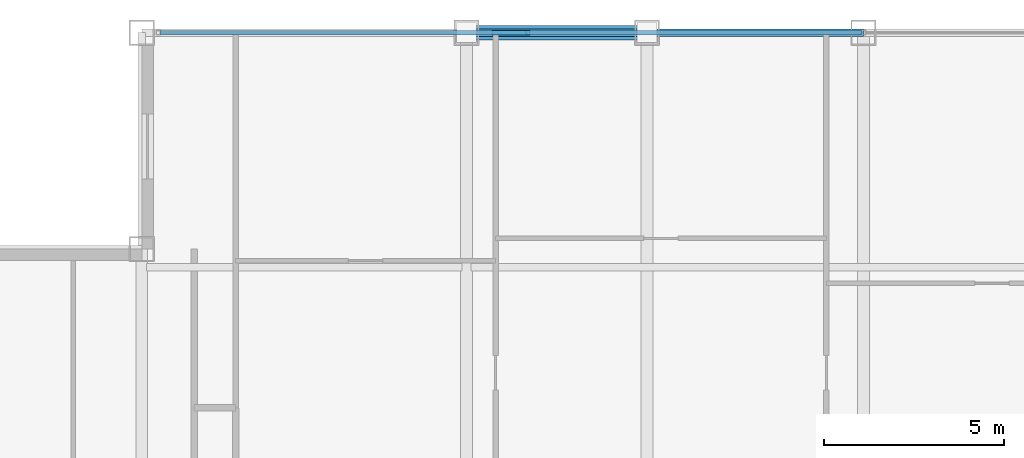
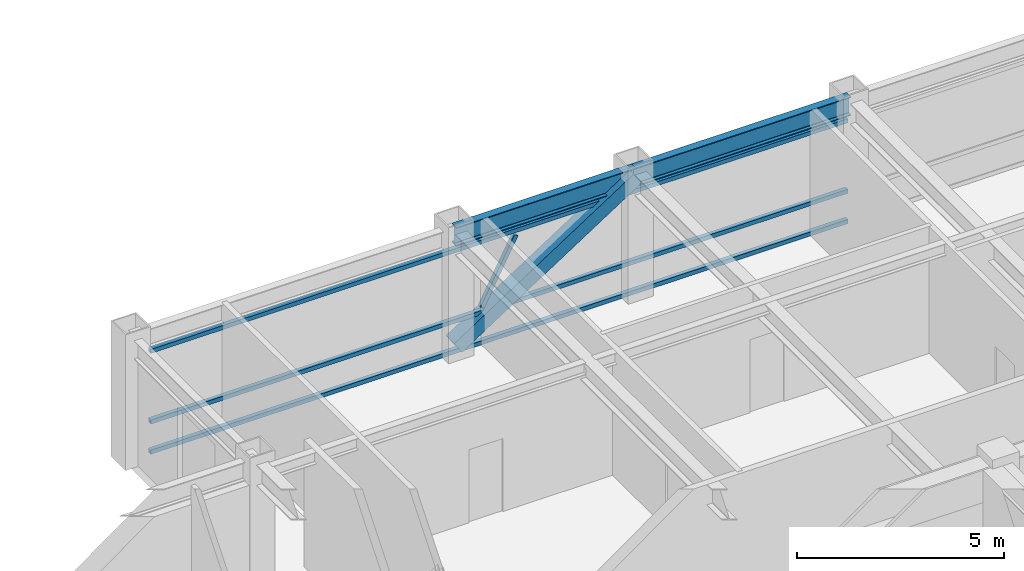
# One storey, part 17 of 29: 5 members, 2 beams, 1 element without a shape of its own.
"""IFC4 building model written with IfcOpenShell, lengths in metres."""

import ifcopenshell
import ifcopenshell.guid

model = None  # the IFC model being written
_history = None  # IfcOwnerHistory: only IFC2X3 demands one
_inside = {}  # id of a spatial element -> (the spatial element, [elements in it])
_under = {}  # id of a project, library or spatial element -> (it, [spatial elements below it])
_declared = {}  # id of a project -> (the project, [libraries it declares])
_typed = {}  # id of a type object -> (the type object, [elements of that type])
_made_of = {}  # id of a material, layer set ... -> (it, [elements and type objects made of it])


def new_model(schema):
    """Start an empty IFC model of exactly this schema.

    Asked for "IFC4X3", IfcOpenShell would pick the latest addendum, in which some entities
    have other attributes; the version numbers below select the first issue.
    IFC2X3 requires an IfcOwnerHistory on every rooted entity: one is made here for all.
    """
    global model, _history
    if schema == "IFC4X3":
        model = ifcopenshell.file(schema_version=(4, 3, 0, 0))
    else:
        model = ifcopenshell.file(schema=schema)
    _inside.clear()
    _under.clear()
    _declared.clear()
    _typed.clear()
    _made_of.clear()
    _history = None
    if model.schema == "IFC2X3":
        org = make("IfcOrganization", Name="unknown")
        user = make(
            "IfcPersonAndOrganization",
            ThePerson=make("IfcPerson", FamilyName="unknown"),
            TheOrganization=org,
        )
        app = make(
            "IfcApplication",
            ApplicationDeveloper=org,
            Version="unknown",
            ApplicationFullName="unknown",
            ApplicationIdentifier="unknown",
        )
        _history = make(
            "IfcOwnerHistory",
            OwningUser=user,
            OwningApplication=app,
            ChangeAction="ADDED",
            CreationDate=0,
        )
    return model


def make(cls, **values):
    """One entity of the class cls with the attributes given. An attribute that is None is left unset."""
    return model.create_entity(
        cls, **{name: value for name, value in values.items() if value is not None}
    )


def rooted(cls, **values):
    """An entity with a GlobalId (a new one), such as an element, a storey or a relation."""
    return make(cls, GlobalId=ifcopenshell.guid.new(), OwnerHistory=_history, **values)


def si_unit(unit_type, name, prefix=None):
    """IfcSIUnit, for example si_unit("LENGTHUNIT", "METRE", prefix="MILLI")."""
    return make("IfcSIUnit", UnitType=unit_type, Prefix=prefix, Name=name)


def assignment(units):
    """IfcUnitAssignment: the units of a project."""
    return None if units is None else make("IfcUnitAssignment", Units=units)


def point(xyz):
    """IfcCartesianPoint."""
    return None if xyz is None else make("IfcCartesianPoint", Coordinates=xyz)


def direction(xyz):
    """IfcDirection."""
    return None if xyz is None else make("IfcDirection", DirectionRatios=xyz)


def frame(location, z_axis=None, x_axis=None):
    """IfcAxis2Placement3D, a coordinate frame: its origin and axes. An axis left out is left unset."""
    return make(
        "IfcAxis2Placement3D",
        Location=point(location),
        Axis=direction(z_axis),
        RefDirection=direction(x_axis),
    )


def frame_2d(location, x_axis=None):
    """IfcAxis2Placement2D, a coordinate frame in the plane: its origin and x axis."""
    return make(
        "IfcAxis2Placement2D", Location=point(location), RefDirection=direction(x_axis)
    )


def origin():
    """The frame at (0, 0, 0) with its axes left unset."""
    return frame((0.0, 0.0, 0.0))


def origin_2d():
    """The frame at (0, 0) in the plane with its x axis left unset."""
    return frame_2d((0.0, 0.0))


def place(relative_to, where):
    """IfcLocalPlacement: puts the frame where relative to a parent placement (None: the world)."""
    return make(
        "IfcLocalPlacement", PlacementRelTo=relative_to, RelativePlacement=where
    )


def context(
    kind, dimensions, precision=None, world=None, true_north=None, identifier=None
):
    """IfcGeometricRepresentationContext, for example the 3D "Model" context."""
    return make(
        "IfcGeometricRepresentationContext",
        ContextIdentifier=identifier,
        ContextType=kind,
        CoordinateSpaceDimension=dimensions,
        Precision=precision,
        WorldCoordinateSystem=world,
        TrueNorth=true_north,
    )


def subcontext(parent, identifier, kind, view, scale=None):
    """IfcGeometricRepresentationSubContext, for example "Body" below "Model"."""
    return make(
        "IfcGeometricRepresentationSubContext",
        ContextIdentifier=identifier,
        ContextType=kind,
        ParentContext=parent,
        TargetScale=scale,
        TargetView=view,
    )


def project(units=None, contexts=None):
    """IfcProject with its units and contexts."""
    return rooted(
        "IfcProject",
        Name="project",
        RepresentationContexts=contexts,
        UnitsInContext=assignment(units),
    )


def spatial(cls, under=None, at=None, **own):
    """A site, building, storey or space (cls), placed at a placement, below another one or the project."""
    s = rooted(cls, ObjectPlacement=at, **own)
    if under is not None:
        _under.setdefault(under.id(), (under, []))[1].append(s)
    return s


def profile(cls, at=None, kind="AREA", **sizes):
    """A parametric profile (cls). Its sizes go by their IFC names, for example OverallWidth=200.0."""
    return make(cls, ProfileType=kind, Position=at, **sizes)


def hollow_rectangle(**sizes):
    """IfcRectangleHollowProfileDef."""
    return profile("IfcRectangleHollowProfileDef", **sizes)


def i_section(**sizes):
    """IfcIShapeProfileDef."""
    return profile("IfcIShapeProfileDef", **sizes)


def extrude(swept, where, along, depth):
    """IfcExtrudedAreaSolid: the profile swept, set in the frame where, extruded along a direction by depth."""
    return make(
        "IfcExtrudedAreaSolid",
        SweptArea=swept,
        Position=where,
        ExtrudedDirection=direction(along),
        Depth=depth,
    )


def shape(context_of_items, identifier, shape_type, items):
    """IfcShapeRepresentation: the items that make up one representation, for example the "Body"."""
    return make(
        "IfcShapeRepresentation",
        ContextOfItems=context_of_items,
        RepresentationIdentifier=identifier,
        RepresentationType=shape_type,
        Items=items,
    )


def source(mapping_origin, context_of_items, identifier, shape_type, items):
    """IfcRepresentationMap: a shape defined once, which mapped items show again and again."""
    return make(
        "IfcRepresentationMap",
        MappingOrigin=mapping_origin,
        MappedRepresentation=shape(context_of_items, identifier, shape_type, items),
    )


def transform(
    local_origin,
    x_axis=None,
    y_axis=None,
    z_axis=None,
    scale=None,
    scale2=None,
    scale3=None,
    uniform=True,
):
    """IfcCartesianTransformationOperator3D, or its non-uniform kind. x_axis, y_axis, z_axis: its Axis1, 2, 3."""
    if uniform:
        return make(
            "IfcCartesianTransformationOperator3D",
            Axis1=direction(x_axis),
            Axis2=direction(y_axis),
            LocalOrigin=point(local_origin),
            Scale=scale,
            Axis3=direction(z_axis),
        )
    return make(
        "IfcCartesianTransformationOperator3DnonUniform",
        Axis1=direction(x_axis),
        Axis2=direction(y_axis),
        LocalOrigin=point(local_origin),
        Scale=scale,
        Axis3=direction(z_axis),
        Scale2=scale2,
        Scale3=scale3,
    )


def mapped(mapping_source, mapping_target):
    """IfcMappedItem: shows the shape of a source again, moved by a transform."""
    return make(
        "IfcMappedItem", MappingSource=mapping_source, MappingTarget=mapping_target
    )


def material(Name=None, Category=None):
    """IfcMaterial."""
    return make("IfcMaterial", Name=Name, Category=Category)


def material_profile(
    of_material, cross_section, Name=None, Category=None, Priority=None
):
    """IfcMaterialProfile: a cross section and its material."""
    return make(
        "IfcMaterialProfile",
        Name=Name,
        Material=of_material,
        Profile=cross_section,
        Priority=Priority,
        Category=Category,
    )


def profile_set(profiles, Name=None, composite=None):
    """IfcMaterialProfileSet."""
    return make(
        "IfcMaterialProfileSet",
        Name=Name,
        MaterialProfiles=profiles,
        CompositeProfile=composite,
    )


def made_of(thing, what):
    """Note that an element or type object is made of a material, layer set ...; save() writes the relation."""
    if what is not None:
        _made_of.setdefault(what.id(), (what, []))[1].append(thing)
    return thing


def type_object(cls, material=None, **own):
    """A type object (cls), such as IfcWallType, which elements share."""
    return made_of(rooted(cls, **own), material)


def element(
    cls,
    number,
    at=None,
    inside=None,
    cuts=None,
    type_object=None,
    material=None,
    context=None,
    identifier="Body",
    shape_type=None,
    held_by="IfcProductDefinitionShape",
    body=None,
    shapes=None,
    **own,
):
    """One element of the class cls, such as IfcWall. Its Tag is "e" and its number.

    at: its placement. inside: the storey or other place that contains it. cuts: it is an
    opening in that element (IfcRelVoidsElement). A single representation is given by context,
    identifier, shape_type and body (its items); several are given by shapes. held_by: the class
    of the entity that holds the representations. save() writes the other relations.
    """
    e = rooted(cls, Tag="e%d" % number, ObjectPlacement=at, **own)
    if body is not None:
        shapes = [shape(context, identifier, shape_type, body)]
    if shapes is not None:
        e.Representation = make(held_by, Representations=shapes)
    if inside is not None:
        _inside.setdefault(inside.id(), (inside, []))[1].append(e)
    if cuts is not None:
        rooted(
            "IfcRelVoidsElement", RelatingBuildingElement=cuts, RelatedOpeningElement=e
        )
    if type_object is not None:
        _typed.setdefault(type_object.id(), (type_object, []))[1].append(e)
    return made_of(e, material)


def aggregate(whole, parts):
    """IfcRelAggregates: a whole, such as a stair, and the parts it consists of."""
    return rooted("IfcRelAggregates", RelatingObject=whole, RelatedObjects=parts)


def save(model, path):
    """Write the relations noted so far, then the file.

    IfcRelAggregates (storeys below a building ...), IfcRelContainedInSpatialStructure (elements
    in a storey), IfcRelDefinesByType, IfcRelAssociatesMaterial and IfcRelDeclares: one each for
    every whole, place, type object, material and project.
    """
    for whole, parts in _under.values():
        aggregate(whole, parts)
    for where, things in _inside.values():
        rooted(
            "IfcRelContainedInSpatialStructure",
            RelatedElements=things,
            RelatingStructure=where,
        )
    for kind, things in _typed.values():
        rooted("IfcRelDefinesByType", RelatedObjects=things, RelatingType=kind)
    for what, things in _made_of.values():
        rooted("IfcRelAssociatesMaterial", RelatedObjects=things, RelatingMaterial=what)
    for by, libraries in _declared.values():
        rooted("IfcRelDeclares", RelatingContext=by, RelatedDefinitions=libraries)
    model.write(path)


model = new_model("IFC4")

# Units and contexts
model_context = context("Model", 3, precision=1e-05, world=origin(), true_north=direction((0.0, 1.0)))
body_context = subcontext(model_context, "Body", "Model", "MODEL_VIEW")
ifc_project = project(units=[si_unit("LENGTHUNIT", "METRE"), si_unit("AREAUNIT", "SQUARE_METRE"), si_unit("VOLUMEUNIT", "CUBIC_METRE"), si_unit("PLANEANGLEUNIT", "RADIAN"), si_unit("MASSUNIT", "GRAM", prefix="KILO")], contexts=[model_context])

# Site, building, storey
site_placement = place(None, origin())
site = spatial("IfcSite", under=ifc_project, at=site_placement, CompositionType="ELEMENT")
building_placement = place(site_placement, origin())
building = spatial("IfcBuilding", under=site, at=building_placement, Name="Khorayat Bourse Tower", CompositionType="ELEMENT")
storey_placement = place(building_placement, frame((0.0, 0.0, 366.300048828125)))
storey = spatial("IfcBuildingStorey", under=building, at=storey_placement, Name="L87", CompositionType="ELEMENT", Elevation=366.300048828125)

# Beams
ifc_material_1 = material(Name="Steel ASTM A992 Grade 50", Category="steel")
ifc_material_profile_1 = material_profile(ifc_material_1, i_section(OverallWidth=0.214111328125, OverallDepth=0.549072265625, WebThickness=0.0146484375, FlangeThickness=0.023681640625, FilletRadius=0.013916015625, at=origin_2d()), Name="W530X138")
ifc_profile_set_1 = profile_set([ifc_material_profile_1], Name="Steel ASTM A992 Grade 50")
beam_type = type_object("IfcBeamType", Name="BM-SPAN-530", PredefinedType="SPANDREL", material=ifc_profile_set_1)
shared_shape_1 = source(origin(), body_context, "Body", "SweptSolid", [
    extrude(i_section(OverallWidth=0.214111328125, OverallDepth=0.549072265625, WebThickness=0.0146484375, FlangeThickness=0.023681640625, FilletRadius=0.013916015625, at=origin_2d()), origin(), (0.0, 0.0, 1.0), 5.0),
])
beam_1_placement = place(storey_placement, frame((-11.0, 26.0, 3.46533203125), z_axis=(1.0, 0.0, 0.0), x_axis=(0.0, 1.0, 0.0)))
element("IfcBeam", 1, at=beam_1_placement, inside=storey, type_object=beam_type, Name="L87 BM-SPAN-530 BM-L87-SPN-044", PredefinedType="SPANDREL", context=body_context, shape_type="MappedRepresentation", body=[
    mapped(shared_shape_1, transform((0.0, 0.0, 0.0), scale=1.0)),
])
shared_shape_2 = source(origin(), body_context, "Body", "SweptSolid", [
    extrude(i_section(OverallWidth=0.214111328125, OverallDepth=0.549072265625, WebThickness=0.0146484375, FlangeThickness=0.023681640625, FilletRadius=0.013916015625, at=origin_2d()), origin(), (0.0, 0.0, 1.0), 6.0),
])
beam_2_placement = place(storey_placement, frame((-6.0, 26.0, 3.46533203125), z_axis=(1.0, 0.0, 0.0), x_axis=(0.0, 1.0, 0.0)))
element("IfcBeam", 2, at=beam_2_placement, inside=storey, type_object=beam_type, Name="L87 BM-SPAN-530 BM-L87-SPN-043", PredefinedType="SPANDREL", context=body_context, shape_type="MappedRepresentation", body=[
    mapped(shared_shape_2, transform((0.0, 0.0, 0.0), scale=1.0)),
])

# Member
ifc_material_2 = material(Name="Steel EN 10025-4 S460M", Category="steel")
ifc_material_profile_2 = material_profile(ifc_material_2, hollow_rectangle(XDim=0.39990234375, YDim=0.39990234375, WallThickness=0.02197265625, at=origin_2d()), Name="HSS 400x400x22")
ifc_profile_set_2 = profile_set([ifc_material_profile_2], Name="Steel EN 10025-4 S460M")
member_type_1 = type_object("IfcMemberType", Name="MBR-TUBE-400", PredefinedType="BRACE", material=ifc_profile_set_2)
shared_shape_3 = source(origin(), body_context, "Body", "SweptSolid", [
    extrude(hollow_rectangle(XDim=0.39990234375, YDim=0.39990234375, WallThickness=0.02197265625, at=origin_2d()), origin(), (0.0, 0.0, 1.0), 5.9580078125),
])
member_1_placement = place(storey_placement, frame((-11.0, 26.0, 0.25), z_axis=(0.839210474455, 0.0, 0.543806748364), x_axis=(0.0, 1.0, 0.0)))
element("IfcMember", 3, at=member_1_placement, inside=storey, type_object=member_type_1, Name="L87 Perimeter Tube Brace 03", PredefinedType="BRACE", context=body_context, shape_type="MappedRepresentation", body=[
    mapped(shared_shape_3, transform((0.0, 0.0, 0.0), scale=1.0)),
])

# Curtain wall, members
ifc_material_3 = material(Name="Aluminium EN AW-6063 T6", Category="aluminium")
curtain_wall_type = type_object("IfcCurtainWallType", Name="CW-SYS-04", PredefinedType="NOTDEFINED", material=ifc_material_3)
curtain_wall_placement = place(storey_placement, origin())
curtain_wall = element("IfcCurtainWall", 4, at=curtain_wall_placement, inside=storey, type_object=curtain_wall_type, Name="L87 Curtain Wall CW-L87-N1", PredefinedType="NOTDEFINED")
ifc_material_profile_3 = material_profile(ifc_material_3, hollow_rectangle(XDim=0.1201171875, YDim=0.1201171875, WallThickness=0.0048828125, at=origin_2d()), Name="ALU 120x120x5")
ifc_profile_set_3 = profile_set([ifc_material_profile_3], Name="Aluminium EN AW-6063 T6")
member_type_2 = type_object("IfcMemberType", Name="CWM-DIAG-120", PredefinedType="MULLION", material=ifc_profile_set_3)
shared_shape_4 = source(origin(), body_context, "Body", "SweptSolid", [
    extrude(hollow_rectangle(XDim=0.1201171875, YDim=0.1201171875, WallThickness=0.0048828125, at=origin_2d()), origin(), (0.0, 0.0, 1.0), 2.0341796875),
])
member_2_placement = place(storey_placement, frame((-10.24365234375, 26.0, 1.08984375), z_axis=(0.465696964104, 0.0, 0.884944256789), x_axis=(0.0, 1.0, 0.0)))
member_2 = element("IfcMember", 5, at=member_2_placement, type_object=member_type_2, Name="CW-L87-N1 Faceted Diagonal Mullion 1", PredefinedType="MULLION", context=body_context, shape_type="MappedRepresentation", body=[
    mapped(shared_shape_4, transform((0.0, 0.0, 0.0), scale=1.0)),
])
ifc_material_profile_4 = material_profile(ifc_material_3, hollow_rectangle(XDim=0.1201171875, YDim=0.1201171875, WallThickness=0.0048828125, at=origin_2d()), Name="ALU 120x120x5")
ifc_profile_set_4 = profile_set([ifc_material_profile_4], Name="Aluminium EN AW-6063 T6")
member_type_3 = type_object("IfcMemberType", Name="CWT-HORZ-120", PredefinedType="USERDEFINED", material=ifc_profile_set_4)
shared_shape_5 = source(origin(), body_context, "Body", "SweptSolid", [
    extrude(hollow_rectangle(XDim=0.1201171875, YDim=0.1201171875, WallThickness=0.0048828125, at=origin_2d()), origin(), (0.0, 0.0, 1.0), 19.419921875),
])
member_3_placement = place(storey_placement, frame((-19.47998046875, 26.0, 0.06005859375), z_axis=(1.0, 0.0, 0.0), x_axis=(0.0, 1.0, 0.0)))
member_3 = element("IfcMember", 6, at=member_3_placement, type_object=member_type_3, Name="CW-L87-N1 Horizontal Transom 1-1", ObjectType="TRANSOM", PredefinedType="USERDEFINED", context=body_context, shape_type="MappedRepresentation", body=[
    mapped(shared_shape_5, transform((0.0, 0.0, 0.0), scale=1.0)),
])
member_4_placement = place(storey_placement, frame((-19.47998046875, 26.0, 0.949951171875), z_axis=(1.0, 0.0, 0.0), x_axis=(0.0, 1.0, 0.0)))
member_4 = element("IfcMember", 7, at=member_4_placement, type_object=member_type_3, Name="CW-L87-N1 Horizontal Transom 1-2", ObjectType="TRANSOM", PredefinedType="USERDEFINED", context=body_context, shape_type="MappedRepresentation", body=[
    mapped(shared_shape_5, transform((0.0, 0.0, 0.0), scale=1.0)),
])
member_5_placement = place(storey_placement, frame((-19.47998046875, 26.0, 3.030029296875), z_axis=(1.0, 0.0, 0.0), x_axis=(0.0, 1.0, 0.0)))
member_5 = element("IfcMember", 8, at=member_5_placement, type_object=member_type_3, Name="CW-L87-N1 Horizontal Transom 1-3", ObjectType="TRANSOM", PredefinedType="USERDEFINED", context=body_context, shape_type="MappedRepresentation", body=[
    mapped(shared_shape_5, transform((0.0, 0.0, 0.0), scale=1.0)),
])
aggregate(curtain_wall, [member_3, member_4, member_5, member_2])

save(model, "model.ifc")
